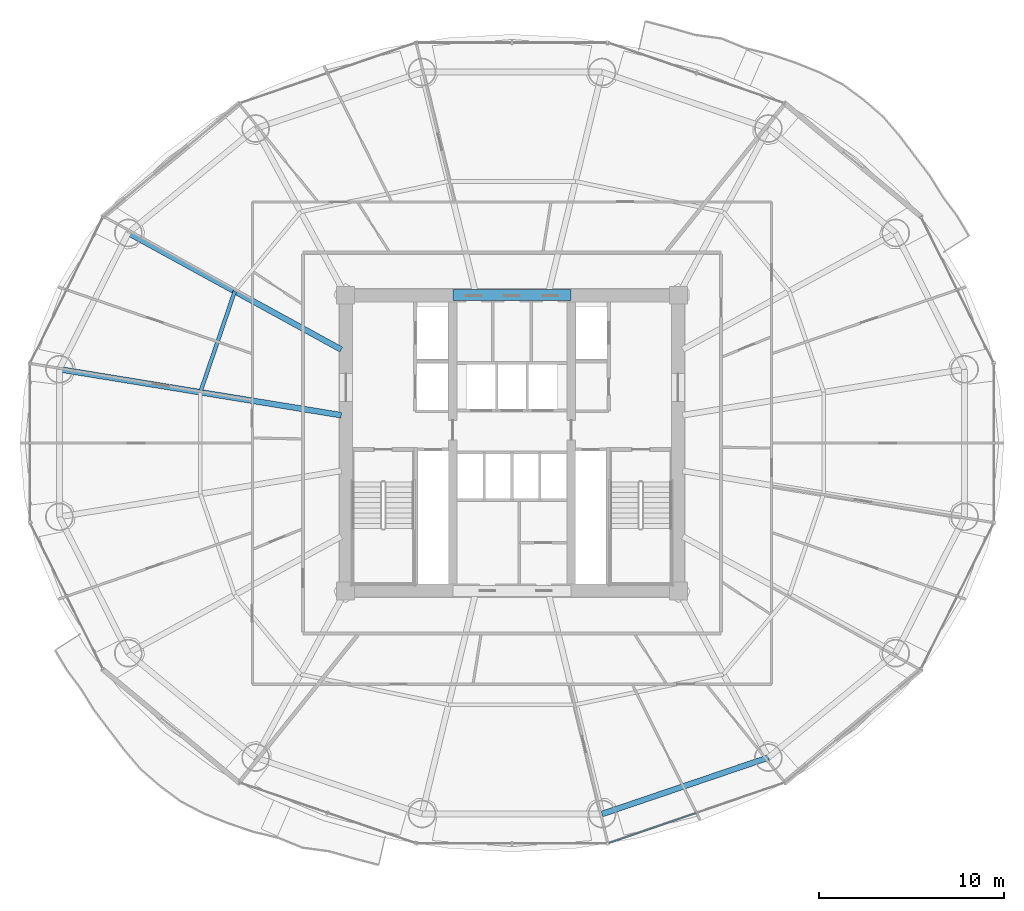
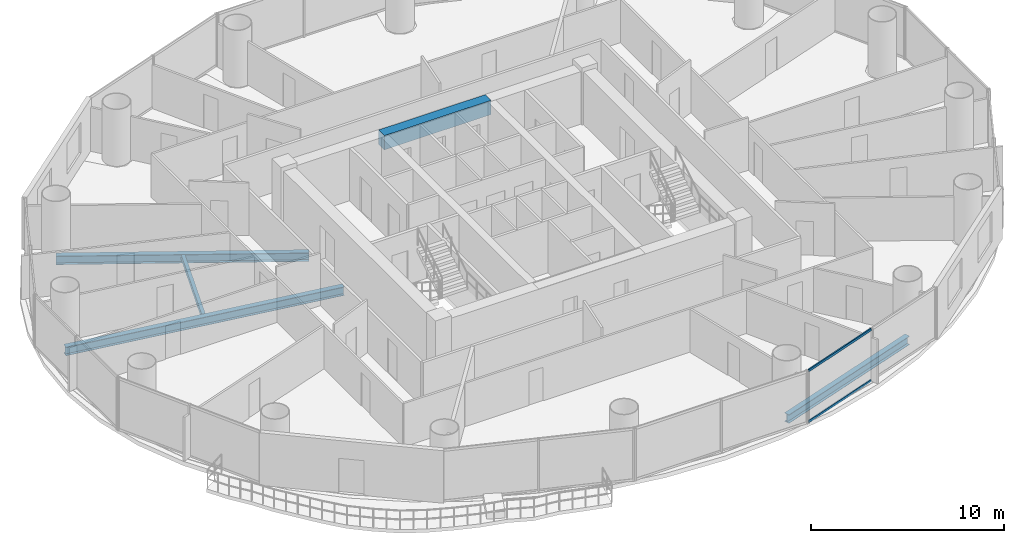
# One storey, part 10 of 29: 5 beams, 2 members, 1 element without a shape of its own.
"""IFC4 building model written with IfcOpenShell, lengths in metres."""

import ifcopenshell
import ifcopenshell.guid

model = None  # the IFC model being written
_history = None  # IfcOwnerHistory: only IFC2X3 demands one
_inside = {}  # id of a spatial element -> (the spatial element, [elements in it])
_under = {}  # id of a project, library or spatial element -> (it, [spatial elements below it])
_declared = {}  # id of a project -> (the project, [libraries it declares])
_typed = {}  # id of a type object -> (the type object, [elements of that type])
_made_of = {}  # id of a material, layer set ... -> (it, [elements and type objects made of it])


def new_model(schema):
    """Start an empty IFC model of exactly this schema.

    Asked for "IFC4X3", IfcOpenShell would pick the latest addendum, in which some entities
    have other attributes; the version numbers below select the first issue.
    IFC2X3 requires an IfcOwnerHistory on every rooted entity: one is made here for all.
    """
    global model, _history
    if schema == "IFC4X3":
        model = ifcopenshell.file(schema_version=(4, 3, 0, 0))
    else:
        model = ifcopenshell.file(schema=schema)
    _inside.clear()
    _under.clear()
    _declared.clear()
    _typed.clear()
    _made_of.clear()
    _history = None
    if model.schema == "IFC2X3":
        org = make("IfcOrganization", Name="unknown")
        user = make(
            "IfcPersonAndOrganization",
            ThePerson=make("IfcPerson", FamilyName="unknown"),
            TheOrganization=org,
        )
        app = make(
            "IfcApplication",
            ApplicationDeveloper=org,
            Version="unknown",
            ApplicationFullName="unknown",
            ApplicationIdentifier="unknown",
        )
        _history = make(
            "IfcOwnerHistory",
            OwningUser=user,
            OwningApplication=app,
            ChangeAction="ADDED",
            CreationDate=0,
        )
    return model


def make(cls, **values):
    """One entity of the class cls with the attributes given. An attribute that is None is left unset."""
    return model.create_entity(
        cls, **{name: value for name, value in values.items() if value is not None}
    )


def rooted(cls, **values):
    """An entity with a GlobalId (a new one), such as an element, a storey or a relation."""
    return make(cls, GlobalId=ifcopenshell.guid.new(), OwnerHistory=_history, **values)


def si_unit(unit_type, name, prefix=None):
    """IfcSIUnit, for example si_unit("LENGTHUNIT", "METRE", prefix="MILLI")."""
    return make("IfcSIUnit", UnitType=unit_type, Prefix=prefix, Name=name)


def assignment(units):
    """IfcUnitAssignment: the units of a project."""
    return None if units is None else make("IfcUnitAssignment", Units=units)


def point(xyz):
    """IfcCartesianPoint."""
    return None if xyz is None else make("IfcCartesianPoint", Coordinates=xyz)


def direction(xyz):
    """IfcDirection."""
    return None if xyz is None else make("IfcDirection", DirectionRatios=xyz)


def frame(location, z_axis=None, x_axis=None):
    """IfcAxis2Placement3D, a coordinate frame: its origin and axes. An axis left out is left unset."""
    return make(
        "IfcAxis2Placement3D",
        Location=point(location),
        Axis=direction(z_axis),
        RefDirection=direction(x_axis),
    )


def frame_2d(location, x_axis=None):
    """IfcAxis2Placement2D, a coordinate frame in the plane: its origin and x axis."""
    return make(
        "IfcAxis2Placement2D", Location=point(location), RefDirection=direction(x_axis)
    )


def origin():
    """The frame at (0, 0, 0) with its axes left unset."""
    return frame((0.0, 0.0, 0.0))


def origin_2d():
    """The frame at (0, 0) in the plane with its x axis left unset."""
    return frame_2d((0.0, 0.0))


def place(relative_to, where):
    """IfcLocalPlacement: puts the frame where relative to a parent placement (None: the world)."""
    return make(
        "IfcLocalPlacement", PlacementRelTo=relative_to, RelativePlacement=where
    )


def context(
    kind, dimensions, precision=None, world=None, true_north=None, identifier=None
):
    """IfcGeometricRepresentationContext, for example the 3D "Model" context."""
    return make(
        "IfcGeometricRepresentationContext",
        ContextIdentifier=identifier,
        ContextType=kind,
        CoordinateSpaceDimension=dimensions,
        Precision=precision,
        WorldCoordinateSystem=world,
        TrueNorth=true_north,
    )


def subcontext(parent, identifier, kind, view, scale=None):
    """IfcGeometricRepresentationSubContext, for example "Body" below "Model"."""
    return make(
        "IfcGeometricRepresentationSubContext",
        ContextIdentifier=identifier,
        ContextType=kind,
        ParentContext=parent,
        TargetScale=scale,
        TargetView=view,
    )


def project(units=None, contexts=None):
    """IfcProject with its units and contexts."""
    return rooted(
        "IfcProject",
        Name="project",
        RepresentationContexts=contexts,
        UnitsInContext=assignment(units),
    )


def spatial(cls, under=None, at=None, **own):
    """A site, building, storey or space (cls), placed at a placement, below another one or the project."""
    s = rooted(cls, ObjectPlacement=at, **own)
    if under is not None:
        _under.setdefault(under.id(), (under, []))[1].append(s)
    return s


def profile(cls, at=None, kind="AREA", **sizes):
    """A parametric profile (cls). Its sizes go by their IFC names, for example OverallWidth=200.0."""
    return make(cls, ProfileType=kind, Position=at, **sizes)


def rectangle(**sizes):
    """IfcRectangleProfileDef."""
    return profile("IfcRectangleProfileDef", **sizes)


def hollow_rectangle(**sizes):
    """IfcRectangleHollowProfileDef."""
    return profile("IfcRectangleHollowProfileDef", **sizes)


def i_section(**sizes):
    """IfcIShapeProfileDef."""
    return profile("IfcIShapeProfileDef", **sizes)


def extrude(swept, where, along, depth):
    """IfcExtrudedAreaSolid: the profile swept, set in the frame where, extruded along a direction by depth."""
    return make(
        "IfcExtrudedAreaSolid",
        SweptArea=swept,
        Position=where,
        ExtrudedDirection=direction(along),
        Depth=depth,
    )


def shape(context_of_items, identifier, shape_type, items):
    """IfcShapeRepresentation: the items that make up one representation, for example the "Body"."""
    return make(
        "IfcShapeRepresentation",
        ContextOfItems=context_of_items,
        RepresentationIdentifier=identifier,
        RepresentationType=shape_type,
        Items=items,
    )


def source(mapping_origin, context_of_items, identifier, shape_type, items):
    """IfcRepresentationMap: a shape defined once, which mapped items show again and again."""
    return make(
        "IfcRepresentationMap",
        MappingOrigin=mapping_origin,
        MappedRepresentation=shape(context_of_items, identifier, shape_type, items),
    )


def transform(
    local_origin,
    x_axis=None,
    y_axis=None,
    z_axis=None,
    scale=None,
    scale2=None,
    scale3=None,
    uniform=True,
):
    """IfcCartesianTransformationOperator3D, or its non-uniform kind. x_axis, y_axis, z_axis: its Axis1, 2, 3."""
    if uniform:
        return make(
            "IfcCartesianTransformationOperator3D",
            Axis1=direction(x_axis),
            Axis2=direction(y_axis),
            LocalOrigin=point(local_origin),
            Scale=scale,
            Axis3=direction(z_axis),
        )
    return make(
        "IfcCartesianTransformationOperator3DnonUniform",
        Axis1=direction(x_axis),
        Axis2=direction(y_axis),
        LocalOrigin=point(local_origin),
        Scale=scale,
        Axis3=direction(z_axis),
        Scale2=scale2,
        Scale3=scale3,
    )


def mapped(mapping_source, mapping_target):
    """IfcMappedItem: shows the shape of a source again, moved by a transform."""
    return make(
        "IfcMappedItem", MappingSource=mapping_source, MappingTarget=mapping_target
    )


def material(Name=None, Category=None):
    """IfcMaterial."""
    return make("IfcMaterial", Name=Name, Category=Category)


def material_profile(
    of_material, cross_section, Name=None, Category=None, Priority=None
):
    """IfcMaterialProfile: a cross section and its material."""
    return make(
        "IfcMaterialProfile",
        Name=Name,
        Material=of_material,
        Profile=cross_section,
        Priority=Priority,
        Category=Category,
    )


def profile_set(profiles, Name=None, composite=None):
    """IfcMaterialProfileSet."""
    return make(
        "IfcMaterialProfileSet",
        Name=Name,
        MaterialProfiles=profiles,
        CompositeProfile=composite,
    )


def made_of(thing, what):
    """Note that an element or type object is made of a material, layer set ...; save() writes the relation."""
    if what is not None:
        _made_of.setdefault(what.id(), (what, []))[1].append(thing)
    return thing


def type_object(cls, material=None, **own):
    """A type object (cls), such as IfcWallType, which elements share."""
    return made_of(rooted(cls, **own), material)


def element(
    cls,
    number,
    at=None,
    inside=None,
    cuts=None,
    type_object=None,
    material=None,
    context=None,
    identifier="Body",
    shape_type=None,
    held_by="IfcProductDefinitionShape",
    body=None,
    shapes=None,
    **own,
):
    """One element of the class cls, such as IfcWall. Its Tag is "e" and its number.

    at: its placement. inside: the storey or other place that contains it. cuts: it is an
    opening in that element (IfcRelVoidsElement). A single representation is given by context,
    identifier, shape_type and body (its items); several are given by shapes. held_by: the class
    of the entity that holds the representations. save() writes the other relations.
    """
    e = rooted(cls, Tag="e%d" % number, ObjectPlacement=at, **own)
    if body is not None:
        shapes = [shape(context, identifier, shape_type, body)]
    if shapes is not None:
        e.Representation = make(held_by, Representations=shapes)
    if inside is not None:
        _inside.setdefault(inside.id(), (inside, []))[1].append(e)
    if cuts is not None:
        rooted(
            "IfcRelVoidsElement", RelatingBuildingElement=cuts, RelatedOpeningElement=e
        )
    if type_object is not None:
        _typed.setdefault(type_object.id(), (type_object, []))[1].append(e)
    return made_of(e, material)


def aggregate(whole, parts):
    """IfcRelAggregates: a whole, such as a stair, and the parts it consists of."""
    return rooted("IfcRelAggregates", RelatingObject=whole, RelatedObjects=parts)


def save(model, path):
    """Write the relations noted so far, then the file.

    IfcRelAggregates (storeys below a building ...), IfcRelContainedInSpatialStructure (elements
    in a storey), IfcRelDefinesByType, IfcRelAssociatesMaterial and IfcRelDeclares: one each for
    every whole, place, type object, material and project.
    """
    for whole, parts in _under.values():
        aggregate(whole, parts)
    for where, things in _inside.values():
        rooted(
            "IfcRelContainedInSpatialStructure",
            RelatedElements=things,
            RelatingStructure=where,
        )
    for kind, things in _typed.values():
        rooted("IfcRelDefinesByType", RelatedObjects=things, RelatingType=kind)
    for what, things in _made_of.values():
        rooted("IfcRelAssociatesMaterial", RelatedObjects=things, RelatingMaterial=what)
    for by, libraries in _declared.values():
        rooted("IfcRelDeclares", RelatingContext=by, RelatedDefinitions=libraries)
    model.write(path)


model = new_model("IFC4")

# Units and contexts
model_context = context("Model", 3, precision=1e-05, world=origin(), true_north=direction((-0.2419218956, 0.970295726276)))
body_context = subcontext(model_context, "Body", "Model", "MODEL_VIEW")
ifc_project = project(units=[si_unit("LENGTHUNIT", "METRE"), si_unit("AREAUNIT", "SQUARE_METRE"), si_unit("VOLUMEUNIT", "CUBIC_METRE"), si_unit("PLANEANGLEUNIT", "RADIAN"), si_unit("MASSUNIT", "GRAM", prefix="KILO")], contexts=[model_context])

# Site, building, storey
site_placement = place(None, origin())
site = spatial("IfcSite", under=ifc_project, at=site_placement, CompositionType="ELEMENT")
building_placement = place(site_placement, origin())
building = spatial("IfcBuilding", under=site, at=building_placement, Name="Cobrevalo Terracotta Tower", CompositionType="ELEMENT")
storey_placement = place(building_placement, frame((0.0, 0.0, 112.199951171875)))
storey = spatial("IfcBuildingStorey", under=building, at=storey_placement, Name="L29", CompositionType="ELEMENT", Elevation=112.199951171875)

# Beams
ifc_material_1 = material(Name="Concrete C60", Category="concrete")
ifc_material_profile_1 = material_profile(ifc_material_1, rectangle(XDim=0.60009765625, YDim=0.89990234375, at=origin_2d()), Name="RC CB 600x900")
ifc_profile_set_1 = profile_set([ifc_material_profile_1], Name="Concrete C60")
beam_type_1 = type_object("IfcBeamType", Name="Structural Beam RC CB 600x900 (Concrete C60)", PredefinedType="BEAM", material=ifc_profile_set_1)
beam_1_placement = place(storey_placement, frame((34.800048828125, 34.800048828125, 2.875), z_axis=(1.0, 0.0, 0.0), x_axis=(0.0, 1.0, 0.0)))
element("IfcBeam", 1, at=beam_1_placement, inside=storey, type_object=beam_type_1, Name="L29 core coupling beam 2", PredefinedType="BEAM", context=body_context, shape_type="SweptSolid", body=[
    extrude(rectangle(XDim=0.60009765625, YDim=0.89990234375, at=origin_2d()), origin(), (0.0, 0.0, 1.0), 6.39990234375),
])
ifc_material_2 = material(Name="Steel S355", Category="steel")
ifc_material_profile_2 = material_profile(ifc_material_2, i_section(OverallWidth=0.31201171875, OverallDepth=0.54296875, WebThickness=0.0126953125, FlangeThickness=0.020263671875, at=origin_2d()), Name="W 530x150")
ifc_profile_set_2 = profile_set([ifc_material_profile_2], Name="Steel S355")
beam_type_2 = type_object("IfcBeamType", Name="Structural Beam W 530x150 (Steel S355)", PredefinedType="BEAM", material=ifc_profile_set_2)
beam_2_placement = place(storey_placement, frame((17.2548828125, 38.161376953125, -0.54638671875), z_axis=(0.877080599376, -0.480343233738, 0.0), x_axis=(0.480343233738, 0.877080599376, 0.0)))
element("IfcBeam", 2, at=beam_2_placement, inside=storey, type_object=beam_type_2, Name="L29 radial floor girder 07", PredefinedType="BEAM", context=body_context, shape_type="SweptSolid", body=[
    extrude(i_section(OverallWidth=0.31201171875, OverallDepth=0.54296875, WebThickness=0.0126953125, FlangeThickness=0.020263671875, at=origin_2d()), origin(), (0.0, 0.0, 1.0), 13.12890625),
])
beam_3_placement = place(storey_placement, frame((13.529296875, 30.78955078125, -0.54638671875), z_axis=(0.986970567439, -0.160900898101, 0.0), x_axis=(0.160900898101, 0.986970567439, 0.0)))
element("IfcBeam", 3, at=beam_3_placement, inside=storey, type_object=beam_type_2, Name="L29 radial floor girder 08", PredefinedType="BEAM", context=body_context, shape_type="SweptSolid", body=[
    extrude(i_section(OverallWidth=0.31201171875, OverallDepth=0.54296875, WebThickness=0.0126953125, FlangeThickness=0.020263671875, at=origin_2d()), origin(), (0.0, 0.0, 1.0), 15.44189453125),
])
ifc_material_profile_3 = material_profile(ifc_material_2, i_section(OverallWidth=0.2041015625, OverallDepth=0.305908203125, WebThickness=0.008544921875, FlangeThickness=0.0146484375, at=origin_2d()), Name="W 310x67")
ifc_profile_set_3 = profile_set([ifc_material_profile_3], Name="Steel S355")
beam_type_3 = type_object("IfcBeamType", Name="Structural Joist W 310x67 (Steel S355)", PredefinedType="JOIST", material=ifc_profile_set_3)
beam_4_placement = place(storey_placement, frame((23.012451171875, 35.00830078125, -0.427978515625), z_axis=(-0.322833299398, -0.94645584197, 0.0), x_axis=(0.94645584197, -0.322833299398, 0.0)))
element("IfcBeam", 4, at=beam_4_placement, inside=storey, type_object=beam_type_3, Name="L29 circumferential secondary floor joist 07", PredefinedType="JOIST", context=body_context, shape_type="SweptSolid", body=[
    extrude(i_section(OverallWidth=0.2041015625, OverallDepth=0.305908203125, WebThickness=0.008544921875, FlangeThickness=0.0146484375, at=origin_2d()), origin(), (0.0, 0.0, 1.0), 5.77001953125),
])
ifc_material_profile_4 = material_profile(ifc_material_2, i_section(OverallWidth=0.31201171875, OverallDepth=0.54296875, WebThickness=0.0126953125, FlangeThickness=0.020263671875, at=origin_2d()), Name="W 530x150")
ifc_profile_set_4 = profile_set([ifc_material_profile_4], Name="Steel S355")
beam_type_4 = type_object("IfcBeamType", Name="Structural Spandrel W 530x150 (Steel S355)", PredefinedType="SPANDREL", material=ifc_profile_set_4)
beam_5_placement = place(storey_placement, frame((42.867431640625, 6.742919921875, -0.54638671875), z_axis=(0.94691835344, 0.321474154356, 0.0), x_axis=(-0.321474154356, 0.94691835344, 0.0)))
element("IfcBeam", 5, at=beam_5_placement, inside=storey, type_object=beam_type_4, Name="L29 perimeter ring spandrel 13", PredefinedType="SPANDREL", context=body_context, shape_type="SweptSolid", body=[
    extrude(i_section(OverallWidth=0.31201171875, OverallDepth=0.54296875, WebThickness=0.0126953125, FlangeThickness=0.020263671875, at=origin_2d()), origin(), (0.0, 0.0, 1.0), 9.498291015625),
])

# Curtain wall, members
ifc_material_3 = material(Name="Anodized aluminium", Category="aluminium")
curtain_wall_type = type_object("IfcCurtainWallType", Name="Lower-tower unitised acoustic low-E curtain wall CW-U1", PredefinedType="NOTDEFINED", material=ifc_material_3)
curtain_wall_placement = place(storey_placement, origin())
curtain_wall = element("IfcCurtainWall", 6, at=curtain_wall_placement, inside=storey, type_object=curtain_wall_type, Name="L29 curtain wall CW-L29-S13", PredefinedType="NOTDEFINED")
ifc_material_profile_5 = material_profile(ifc_material_3, hollow_rectangle(XDim=0.074951171875, YDim=0.14990234375, WallThickness=0.00439453125, at=origin_2d()), Name="CWT 75x150")
ifc_profile_set_5 = profile_set([ifc_material_profile_5], Name="Anodized aluminium")
member_type = type_object("IfcMemberType", Name="Tower unitised aluminium transom 75x150", PredefinedType="USERDEFINED", material=ifc_profile_set_5)
shared_shape = source(origin(), body_context, "Body", "SweptSolid", [
    extrude(hollow_rectangle(XDim=0.074951171875, YDim=0.14990234375, WallThickness=0.00439453125, at=origin_2d()), origin(), (0.0, 0.0, 1.0), 4.944580078125),
])
member_1_placement = place(storey_placement, frame((43.25927734375, 5.18017578125, 0.050048828125), z_axis=(0.945597859971, 0.32533780478, 0.0), x_axis=(-0.32533780478, 0.945597859971, 0.0)))
member_1 = element("IfcMember", 7, at=member_1_placement, type_object=member_type, Name="CW-L29-S13 transom B01-T1", ObjectType="TRANSOM", PredefinedType="USERDEFINED", context=body_context, shape_type="MappedRepresentation", body=[
    mapped(shared_shape, transform((0.0, 0.0, 0.0), scale=1.0)),
])
member_2_placement = place(storey_placement, frame((43.25927734375, 5.18017578125, 3.275146484375), z_axis=(0.945597859971, 0.32533780478, 0.0), x_axis=(-0.32533780478, 0.945597859971, 0.0)))
member_2 = element("IfcMember", 8, at=member_2_placement, type_object=member_type, Name="CW-L29-S13 transom B01-T2", ObjectType="TRANSOM", PredefinedType="USERDEFINED", context=body_context, shape_type="MappedRepresentation", body=[
    mapped(shared_shape, transform((0.0, 0.0, 0.0), scale=1.0)),
])
aggregate(curtain_wall, [member_1, member_2])

save(model, "model.ifc")
